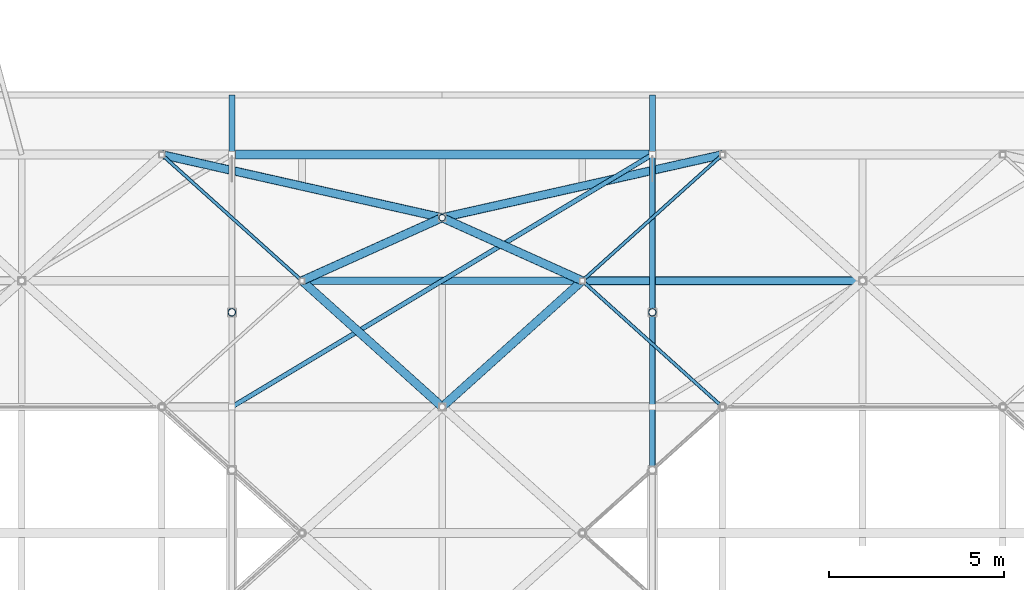
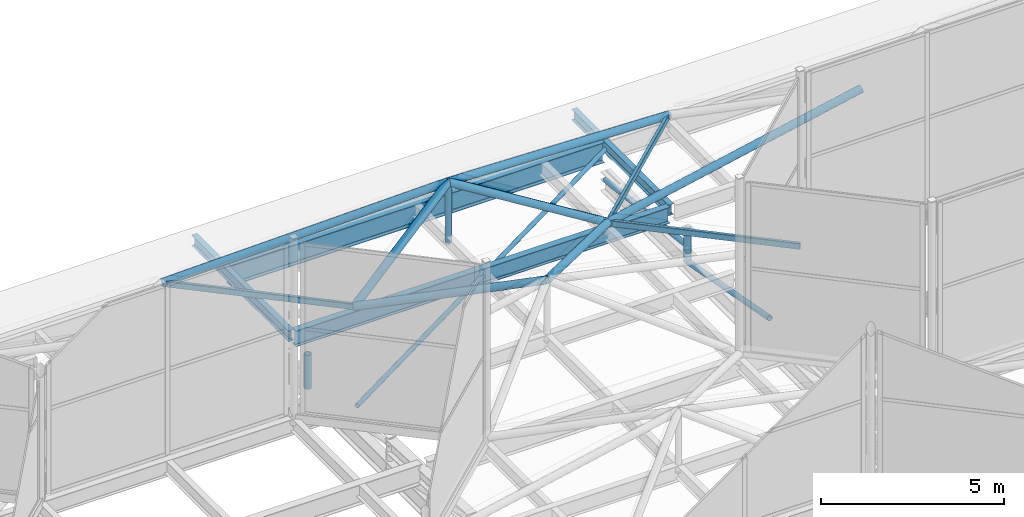
# One storey, part 110 of 239: 13 members, 7 beams.
"""IFC4 building model written with IfcOpenShell, lengths in metres."""

from ifc_helpers import new_model, si_unit, direction, frame, origin, origin_2d, place, context, subcontext, project, spatial, hollow_rectangle, hollow_circle, i_section, extrude, material, material_profile, profile_set, type_object, element, save


model = new_model("IFC4")

# Units and contexts
model_context = context("Model", 3, precision=1e-05, world=origin(), true_north=direction((0.0, 1.0)))
body_context = subcontext(model_context, "Body", "Model", "MODEL_VIEW")
ifc_project = project(units=[si_unit("LENGTHUNIT", "METRE"), si_unit("AREAUNIT", "SQUARE_METRE"), si_unit("VOLUMEUNIT", "CUBIC_METRE"), si_unit("PLANEANGLEUNIT", "RADIAN"), si_unit("MASSUNIT", "GRAM", prefix="KILO")], contexts=[model_context])

# Site, building, storey
site_placement = place(None, origin())
site = spatial("IfcSite", under=ifc_project, at=site_placement, CompositionType="ELEMENT")
building_placement = place(site_placement, origin())
building = spatial("IfcBuilding", under=site, at=building_placement, Name="Dunvalen Ferry Terminal", CompositionType="ELEMENT")
storey_placement = place(building_placement, frame((0.0, 0.0, 9.840087890625)))
storey = spatial("IfcBuildingStorey", under=building, at=storey_placement, Name="L02", CompositionType="ELEMENT", Elevation=9.840087890625)

# Beams
ifc_material = material(Name="Steel S355", Category="steel")
ifc_material_profile_1 = material_profile(ifc_material, i_section(OverallWidth=0.169921875, OverallDepth=0.360107421875, WebThickness=0.008056640625, FlangeThickness=0.0126953125, FilletRadius=0.01806640625, at=origin_2d()), Name="Steel S355")
ifc_profile_set_1 = profile_set([ifc_material_profile_1], Name="Steel S355")
beam_type_1 = type_object("IfcBeamType", Name="STR-BM-IPE360", PredefinedType="BEAM", material=ifc_profile_set_1)
for number, where, z_axis, x_axis, name in (
    (1, (48.0, 82.800048828125, 0.81982421875), (0.0, 1.0, 0.0), (-1.0, 0.0, 0.0), "Departure Hall North Eave Outrigger 07"),
    (2, (60.0, 82.800048828125, 0.81982421875), (0.0, 1.0, 0.0), (-1.0, 0.0, 0.0), "Departure Hall North Eave Outrigger 09"),
):
    element("IfcBeam", number, at=place(storey_placement, frame(where, z_axis=z_axis, x_axis=x_axis)), inside=storey, type_object=beam_type_1, Name=name, PredefinedType="BEAM", context=body_context, shape_type="SweptSolid", body=[
        extrude(i_section(OverallWidth=0.169921875, OverallDepth=0.360107421875, WebThickness=0.008056640625, FlangeThickness=0.0126953125, FilletRadius=0.01806640625, at=origin_2d()), origin(), (0.0, 0.0, 1.0), 5.300048828125),
    ])
ifc_material_profile_2 = material_profile(ifc_material, hollow_rectangle(XDim=0.10009765625, YDim=0.199951171875, WallThickness=0.008056640625, InnerFilletRadius=0.008056640625, OuterFilletRadius=0.01611328125, at=origin_2d()), Name="Steel S355")
ifc_profile_set_2 = profile_set([ifc_material_profile_2], Name="Steel S355")
beam_type_2 = type_object("IfcBeamType", Name="STR-BM-RHS200", PredefinedType="BEAM", material=ifc_profile_set_2)
beam_1_placement = place(storey_placement, frame((50.0, 82.800048828125, 1.099853515625), z_axis=(-0.74330768127, 0.668949692402, 0.0), x_axis=(-0.668949692402, -0.74330768127, 0.0)))
element("IfcBeam", 3, at=beam_1_placement, inside=storey, type_object=beam_type_2, Name="HEX-22 Hexagonal Rim Beam 4", PredefinedType="BEAM", context=body_context, shape_type="SweptSolid", body=[
    extrude(hollow_rectangle(XDim=0.10009765625, YDim=0.199951171875, WallThickness=0.008056640625, InnerFilletRadius=0.008056640625, OuterFilletRadius=0.01611328125, at=origin_2d()), origin(), (0.0, 0.0, 1.0), 5.38134765625),
])
beam_2_placement = place(storey_placement, frame((62.0, 79.199951171875, 1.099853515625), z_axis=(-0.743285123004, 0.668974757313, 0.0), x_axis=(-0.668974757313, -0.743285123004, 0.0)))
element("IfcBeam", 4, at=beam_2_placement, inside=storey, type_object=beam_type_2, Name="HEX-27 Hexagonal Rim Beam 4", PredefinedType="BEAM", context=body_context, shape_type="SweptSolid", body=[
    extrude(hollow_rectangle(XDim=0.10009765625, YDim=0.199951171875, WallThickness=0.008056640625, InnerFilletRadius=0.008056640625, OuterFilletRadius=0.01611328125, at=origin_2d()), origin(), (0.0, 0.0, 1.0), 5.381591796875),
])
beam_3_placement = place(storey_placement, frame((58.0, 82.800048828125, 1.099853515625), z_axis=(0.74330768127, 0.668949692402, 0.0), x_axis=(-0.668949692402, 0.74330768127, 0.0)))
element("IfcBeam", 5, at=beam_3_placement, inside=storey, type_object=beam_type_2, Name="HEX-28 Hexagonal Rim Beam 3", PredefinedType="BEAM", context=body_context, shape_type="SweptSolid", body=[
    extrude(hollow_rectangle(XDim=0.10009765625, YDim=0.199951171875, WallThickness=0.008056640625, InnerFilletRadius=0.008056640625, OuterFilletRadius=0.01611328125, at=origin_2d()), origin(), (0.0, 0.0, 1.0), 5.38134765625),
])
ifc_material_profile_3 = material_profile(ifc_material, i_section(OverallWidth=0.209228515625, OverallDepth=0.533203125, WebThickness=0.010009765625, FlangeThickness=0.015625, FilletRadius=0.0126953125, at=origin_2d()), Name="Steel S355")
ifc_profile_set_3 = profile_set([ifc_material_profile_3], Name="Steel S355")
beam_type_3 = type_object("IfcBeamType", Name="STR-BM-UKB533", PredefinedType="BEAM", material=ifc_profile_set_3)
beam_4_placement = place(storey_placement, frame((48.10009765625, 82.800048828125, 0.7333984375), z_axis=(1.0, 0.0, 0.0), x_axis=(0.0, 1.0, 0.0)))
element("IfcBeam", 6, at=beam_4_placement, inside=storey, type_object=beam_type_3, Name="Departure Hall Spine Girder B4.10", PredefinedType="BEAM", context=body_context, shape_type="SweptSolid", body=[
    extrude(i_section(OverallWidth=0.209228515625, OverallDepth=0.533203125, WebThickness=0.010009765625, FlangeThickness=0.015625, FilletRadius=0.0126953125, at=origin_2d()), origin(), (0.0, 0.0, 1.0), 11.7998046875),
])
ifc_material_profile_4 = material_profile(ifc_material, i_section(OverallWidth=0.253662109375, OverallDepth=0.68359375, WebThickness=0.012451171875, FlangeThickness=0.01904296875, FilletRadius=0.01513671875, at=origin_2d()), Name="Steel S355")
ifc_profile_set_4 = profile_set([ifc_material_profile_4], Name="Steel S355")
beam_type_4 = type_object("IfcBeamType", Name="STR-BM-UKB686", PredefinedType="BEAM", material=ifc_profile_set_4)
beam_5_placement = place(storey_placement, frame((48.10009765625, 86.39990234375, 0.658203125), z_axis=(1.0, 0.0, 0.0), x_axis=(0.0, 1.0, 0.0)))
element("IfcBeam", 7, at=beam_5_placement, inside=storey, type_object=beam_type_4, Name="Departure Hall Spine Girder B4.11", PredefinedType="BEAM", context=body_context, shape_type="SweptSolid", body=[
    extrude(i_section(OverallWidth=0.253662109375, OverallDepth=0.68359375, WebThickness=0.012451171875, FlangeThickness=0.01904296875, FilletRadius=0.01513671875, at=origin_2d()), origin(), (0.0, 0.0, 1.0), 11.7998046875),
])

# Members
ifc_material_profile_5 = material_profile(ifc_material, hollow_circle(Radius=0.06982421875, WallThickness=0.00634765625, at=origin_2d()), Name="Steel S355")
ifc_profile_set_5 = profile_set([ifc_material_profile_5], Name="Steel S355")
member_type_1 = type_object("IfcMemberType", Name="STR-MB-CHS139", PredefinedType="BRACE", material=ifc_profile_set_5)
member_1_placement = place(storey_placement, frame((48.0, 79.199951171875, 0.659912109375), z_axis=(0.857494465041, 0.514493189871, 0.0), x_axis=(-0.514493189871, 0.857494465041, 0.0)))
element("IfcMember", 8, at=member_1_placement, inside=storey, type_object=member_type_1, Name="Departure Hall Roof Wind Brace 4A", PredefinedType="BRACE", context=body_context, shape_type="SweptSolid", body=[
    extrude(hollow_circle(Radius=0.06982421875, WallThickness=0.00634765625, at=origin_2d()), origin(), (0.0, 0.0, 1.0), 13.994140625),
])
ifc_material_profile_6 = material_profile(ifc_material, hollow_circle(Radius=0.084228515625, WallThickness=0.008056640625, at=origin_2d()), Name="Steel S355")
ifc_profile_set_6 = profile_set([ifc_material_profile_6], Name="Steel S355")
member_type_2 = type_object("IfcMemberType", Name="STR-MB-CHS168", PredefinedType="BRACE", material=ifc_profile_set_6)
member_2_placement = place(storey_placement, frame((60.0, 77.39990234375, 0.474853515625), z_axis=(0.0, 0.983218272848, -0.18243307797), x_axis=(-1.0, 0.0, 0.0)))
element("IfcMember", 9, at=member_2_placement, inside=storey, type_object=member_type_2, Name="Departure Hall Arch Web Diagonal 05.7", PredefinedType="BRACE", context=body_context, shape_type="SweptSolid", body=[
    extrude(hollow_circle(Radius=0.084228515625, WallThickness=0.008056640625, at=origin_2d()), origin(), (0.0, 0.0, 1.0), 4.576904296875),
])
member_3_placement = place(storey_placement, frame((60.0, 81.89990234375, 0.168701171875), z_axis=(0.0, 0.993166043245, -0.116709941931), x_axis=(-1.0, 0.0, 0.0)))
element("IfcMember", 10, at=member_3_placement, inside=storey, type_object=member_type_2, Name="Departure Hall Arch Web Diagonal 05.8", PredefinedType="BRACE", context=body_context, shape_type="SweptSolid", body=[
    extrude(hollow_circle(Radius=0.084228515625, WallThickness=0.008056640625, at=origin_2d()), origin(), (0.0, 0.0, 1.0), 4.531005859375),
])
ifc_material_profile_7 = material_profile(ifc_material, hollow_circle(Radius=0.096923828125, WallThickness=0.008056640625, at=origin_2d()), Name="Steel S355")
ifc_profile_set_7 = profile_set([ifc_material_profile_7], Name="Steel S355")
member_type_3 = type_object("IfcMemberType", Name="STR-MB-CHS193", PredefinedType="STRUT", material=ifc_profile_set_7)
member_4_placement = place(storey_placement, frame((54.0, 84.60009765625, 0.77001953125), z_axis=(0.0, 0.0, 1.0), x_axis=(1.0, 0.0, 0.0)))
element("IfcMember", 11, at=member_4_placement, inside=storey, type_object=member_type_3, Name="HEX-28 Pyramid Apex Strut", PredefinedType="STRUT", context=body_context, shape_type="SweptSolid", body=[
    extrude(hollow_circle(Radius=0.096923828125, WallThickness=0.008056640625, at=origin_2d()), origin(), (0.0, 0.0, 1.0), 1.994873046875),
])
ifc_material_profile_8 = material_profile(ifc_material, hollow_circle(Radius=0.109619140625, WallThickness=0.010009765625, at=origin_2d()), Name="Steel S355")
ifc_profile_set_8 = profile_set([ifc_material_profile_8], Name="Steel S355")
member_type_4 = type_object("IfcMemberType", Name="STR-MB-CHS219", PredefinedType="STRUT", material=ifc_profile_set_8)
for number, where, z_axis, x_axis, name in (
    (12, (48.0, 81.89990234375, -0.360107421875), (0.0, 0.0, 1.0), (1.0, 0.0, 0.0), "Departure Hall Arch Spandrel Strut 04.7"),
    (13, (60.0, 81.89990234375, -0.360107421875), (0.0, 0.0, 1.0), (1.0, 0.0, 0.0), "Departure Hall Arch Spandrel Strut 05.7"),
):
    element("IfcMember", number, at=place(storey_placement, frame(where, z_axis=z_axis, x_axis=x_axis)), inside=storey, type_object=member_type_4, Name=name, PredefinedType="STRUT", context=body_context, shape_type="SweptSolid", body=[
        extrude(hollow_circle(Radius=0.109619140625, WallThickness=0.010009765625, at=origin_2d()), origin(), (0.0, 0.0, 1.0), 1.130126953125),
    ])
ifc_material_profile_9 = material_profile(ifc_material, hollow_circle(Radius=0.122314453125, WallThickness=0.010009765625, at=origin_2d()), Name="Steel S355")
ifc_profile_set_9 = profile_set([ifc_material_profile_9], Name="Steel S355")
member_type_5 = type_object("IfcMemberType", Name="STR-MB-CHS244", PredefinedType="STRUT", material=ifc_profile_set_9)
for number, where, z_axis, x_axis, name in (
    (14, (58.0, 82.800048828125, 1.099853515625), (-0.710074680578, -0.639084548328, 0.295575520114), (0.668974757313, -0.743285123004, 0.0), "HEX-27 Pyramid Hip Rafter 5"),
    (15, (50.0, 82.800048828125, 1.099853515625), (0.710074680578, -0.639084548328, 0.295575520114), (0.668974757313, 0.743285123004, 0.0), "HEX-27 Pyramid Hip Rafter 6"),
):
    element("IfcMember", number, at=place(storey_placement, frame(where, z_axis=z_axis, x_axis=x_axis)), inside=storey, type_object=member_type_5, Name=name, PredefinedType="STRUT", context=body_context, shape_type="SweptSolid", body=[
        extrude(hollow_circle(Radius=0.122314453125, WallThickness=0.010009765625, at=origin_2d()), origin(), (0.0, 0.0, 1.0), 5.63330078125),
    ])
member_5_placement = place(storey_placement, frame((46.0, 86.39990234375, 1.099853515625), z_axis=(0.956103315715, -0.21509990367, 0.198993671056), x_axis=(0.21948952406, 0.97561485681, 0.0)))
element("IfcMember", 16, at=member_5_placement, inside=storey, type_object=member_type_5, Name="HEX-28 Pyramid Hip Rafter 1", PredefinedType="STRUT", context=body_context, shape_type="SweptSolid", body=[
    extrude(hollow_circle(Radius=0.122314453125, WallThickness=0.010009765625, at=origin_2d()), origin(), (0.0, 0.0, 1.0), 8.3671875),
])
for number, where, z_axis, x_axis, name in (
    (17, (50.0, 82.800048828125, 1.099853515625), (0.852560097395, 0.383662451056, 0.354886466323), (-0.410373934525, 0.91191733938, 0.0), "HEX-28 Pyramid Hip Rafter 2"),
    (18, (58.0, 82.800048828125, 1.099853515625), (-0.852560097395, 0.383662451056, 0.354886466323), (-0.410373934525, -0.91191733938, 0.0), "HEX-28 Pyramid Hip Rafter 3"),
):
    element("IfcMember", number, at=place(storey_placement, frame(where, z_axis=z_axis, x_axis=x_axis)), inside=storey, type_object=member_type_5, Name=name, PredefinedType="STRUT", context=body_context, shape_type="SweptSolid", body=[
        extrude(hollow_circle(Radius=0.122314453125, WallThickness=0.010009765625, at=origin_2d()), origin(), (0.0, 0.0, 1.0), 4.691650390625),
    ])
member_6_placement = place(storey_placement, frame((62.0, 86.39990234375, 1.099853515625), z_axis=(-0.956103315715, -0.21509990367, 0.198993671056), x_axis=(0.21948952406, -0.97561485681, 0.0)))
element("IfcMember", 19, at=member_6_placement, inside=storey, type_object=member_type_5, Name="HEX-28 Pyramid Hip Rafter 4", PredefinedType="STRUT", context=body_context, shape_type="SweptSolid", body=[
    extrude(hollow_circle(Radius=0.122314453125, WallThickness=0.010009765625, at=origin_2d()), origin(), (0.0, 0.0, 1.0), 8.3671875),
])
member_7_placement = place(storey_placement, frame((58.0, 82.800048828125, 1.099853515625), z_axis=(0.979020171275, 0.0, 0.203763353518), x_axis=(0.0, 1.0, 0.0)))
element("IfcMember", 20, at=member_7_placement, inside=storey, type_object=member_type_5, Name="HEX-33 Pyramid Hip Rafter 1", PredefinedType="STRUT", context=body_context, shape_type="SweptSolid", body=[
    extrude(hollow_circle(Radius=0.122314453125, WallThickness=0.010009765625, at=origin_2d()), origin(), (0.0, 0.0, 1.0), 8.17138671875),
])

save(model, "model.ifc")
